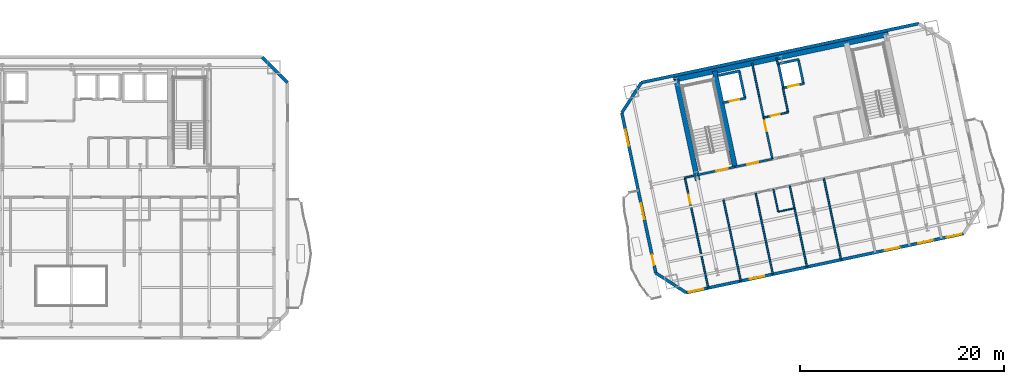
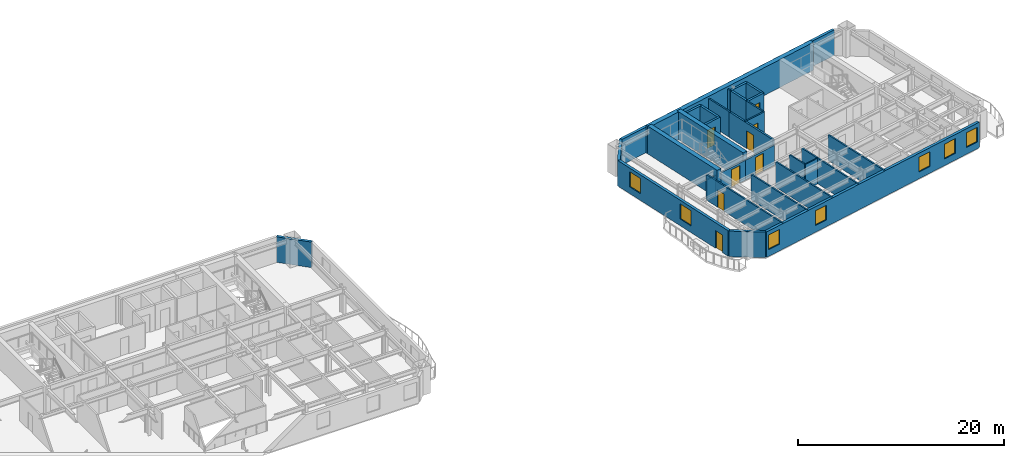
# One storey, part 7 of 13: 31 walls, 8 doors, 7 windows, 15 openings.
"""IFC4 building model written with IfcOpenShell, lengths in metres."""

from ifc_helpers import new_model, si_unit, direction, frame, frame_2d, origin, place, context, subcontext, project, spatial, rectangle, extrude, material, layer, layer_set, type_object, element, fill, save


model = new_model("IFC4")

# Units and contexts
model_context = context("Model", 3, precision=1e-05, world=origin(), true_north=direction((0.0, 1.0)))
body_context = subcontext(model_context, "Body", "Model", "MODEL_VIEW")
ifc_project = project(units=[si_unit("LENGTHUNIT", "METRE"), si_unit("AREAUNIT", "SQUARE_METRE"), si_unit("VOLUMEUNIT", "CUBIC_METRE"), si_unit("PLANEANGLEUNIT", "RADIAN"), si_unit("MASSUNIT", "GRAM", prefix="KILO")], contexts=[model_context])

# Site, building, storey
site_placement = place(None, origin())
site = spatial("IfcSite", under=ifc_project, at=site_placement, CompositionType="ELEMENT")
building_placement = place(site_placement, origin())
building = spatial("IfcBuilding", under=site, at=building_placement, Name="Haevon Station Towers", CompositionType="ELEMENT")
storey_placement = place(building_placement, frame((0.0, 0.0, 142.800048828125)))
storey = spatial("IfcBuildingStorey", under=building, at=storey_placement, Name="L38", CompositionType="ELEMENT", Elevation=142.800048828125)

# Wall, opening, door
ifc_material_1 = material(Name="Gypsum board on steel stud", Category="steel")
ifc_layer_1 = layer(ifc_material_1, 0.199951171875)
ifc_layer_set_1 = layer_set([ifc_layer_1], Name="Gypsum board on steel stud")
wall_type_1 = type_object("IfcWallType", Name="WL-COR200", PredefinedType="PARTITIONING", material=ifc_layer_set_1)
wall_1_placement = place(storey_placement, frame((98.75244140625, 37.4423828125, 0.0), z_axis=(0.0, 0.0, 1.0), x_axis=(0.978143537786, 0.207930804564, 0.0)))
wall_1 = element("IfcWall", 1, at=wall_1_placement, inside=storey, type_object=wall_type_1, Name="WL-ST-ST3-L38", PredefinedType="PARTITIONING", context=body_context, shape_type="SweptSolid", body=[
    extrude(rectangle(XDim=3.85009765625, YDim=0.199951171875, at=frame_2d((1.925048828125, 0.0))), origin(), (0.0, 0.0, 1.0), 2.3798828125),
])
opening_1_placement = place(wall_1_placement, frame((2.0, 0.0, 0.0)))
opening_1 = element("IfcOpeningElement", 2, at=opening_1_placement, cuts=wall_1, Name="Opening DR-ST-ST3-L38", PredefinedType="OPENING", context=body_context, shape_type="SweptSolid", body=[
    extrude(rectangle(XDim=1.1201171875, YDim=2.10009765625, at=frame_2d((0.56005859375, 1.050048828125))), frame((0.0, 0.10986328125, 0.0), z_axis=(0.0, -1.0, 0.0), x_axis=(1.0, 0.0, 0.0)), (0.0, 0.0, 1.0), 0.219970703125),
])
ifc_material_2 = material(Name="Engineered oak timber", Category="wood")
door_type_1 = type_object("IfcDoorType", Name="DR-ST-1120", OperationType="NOTDEFINED", PredefinedType="DOOR", material=ifc_material_2)
door_1_placement = place(opening_1_placement, origin())
door_1 = element("IfcDoor", 3, at=door_1_placement, inside=storey, type_object=door_type_1, Name="L38 Escape Stair ST3 Fire Door", OperationType="SINGLE_SWING_LEFT", OverallHeight=2.10009765625, OverallWidth=1.1201171875, PredefinedType="DOOR", context=body_context, shape_type="SweptSolid", body=[
    extrude(rectangle(XDim=1.1201171875, YDim=2.10009765625, at=frame_2d((0.56005859375, 1.050048828125))), frame((0.0, 0.02490234375, 0.0), z_axis=(0.0, -1.0, 0.0), x_axis=(1.0, 0.0, 0.0)), (0.0, 0.0, 1.0), 0.050048828125),
])
fill(opening_1, door_1)

wall_2_placement = place(storey_placement, frame((106.186279296875, 39.0224609375, 0.0), z_axis=(0.0, 0.0, 1.0), x_axis=(-0.207916691923, 0.978146537703, 0.0)))
wall_2 = element("IfcWall", 4, at=wall_2_placement, inside=storey, type_object=wall_type_1, Name="WL-T2FFL-L38-E", PredefinedType="PARTITIONING", context=body_context, shape_type="SweptSolid", body=[
    extrude(rectangle(XDim=6.35009765625, YDim=0.199951171875, at=frame_2d((3.175048828125, 0.0))), origin(), (0.0, 0.0, 1.0), 3.030029296875),
])
opening_2_placement = place(wall_2_placement, frame((2.800048828125, 0.0, 0.0)))
opening_2 = element("IfcOpeningElement", 5, at=opening_2_placement, cuts=wall_2, Name="Opening DR-T2FFL-L38-E", PredefinedType="OPENING", context=body_context, shape_type="SweptSolid", body=[
    extrude(rectangle(XDim=1.050048828125, YDim=2.10009765625, at=frame_2d((0.52490234375, 1.050048828125))), frame((0.0, 0.10986328125, 0.0), z_axis=(0.0, -1.0, 0.0), x_axis=(1.0, 0.0, 0.0)), (0.0, 0.0, 1.0), 0.219970703125),
])
door_type_2 = type_object("IfcDoorType", Name="DR-FD60-1050", OperationType="NOTDEFINED", PredefinedType="DOOR", material=ifc_material_2)
door_2_placement = place(opening_2_placement, origin())
door_2 = element("IfcDoor", 6, at=door_2_placement, inside=storey, type_object=door_type_2, Name="L38 Tower 2 Firefighting Lift Lobby Door E", OperationType="SINGLE_SWING_LEFT", OverallHeight=2.10009765625, OverallWidth=1.050048828125, PredefinedType="DOOR", context=body_context, shape_type="SweptSolid", body=[
    extrude(rectangle(XDim=1.050048828125, YDim=2.10009765625, at=frame_2d((0.52490234375, 1.050048828125))), frame((0.0, 0.02490234375, 0.0), z_axis=(0.0, -1.0, 0.0), x_axis=(1.0, 0.0, 0.0)), (0.0, 0.0, 1.0), 0.050048828125),
])
fill(opening_2, door_2)

wall_3_placement = place(storey_placement, frame((102.518310546875, 38.242919921875, 0.0), z_axis=(0.0, 0.0, 1.0), x_axis=(0.978153555683, 0.20788367301, 0.0)))
wall_3 = element("IfcWall", 7, at=wall_3_placement, inside=storey, type_object=wall_type_1, Name="WL-T2FFL-L38-S", PredefinedType="PARTITIONING", context=body_context, shape_type="SweptSolid", body=[
    extrude(rectangle(XDim=3.75, YDim=0.199951171875, at=frame_2d((1.875, 0.0))), origin(), (0.0, 0.0, 1.0), 2.3798828125),
])
opening_3_placement = place(wall_3_placement, frame((1.25, 0.0, 0.0)))
opening_3 = element("IfcOpeningElement", 8, at=opening_3_placement, cuts=wall_3, Name="Opening DR-T2FFL-L38-S", PredefinedType="OPENING", context=body_context, shape_type="SweptSolid", body=[
    extrude(rectangle(XDim=1.050048828125, YDim=2.10009765625, at=frame_2d((0.52490234375, 1.050048828125))), frame((0.0, 0.10986328125, 0.0), z_axis=(0.0, -1.0, 0.0), x_axis=(1.0, 0.0, 0.0)), (0.0, 0.0, 1.0), 0.219970703125),
])
door_3_placement = place(opening_3_placement, origin())
door_3 = element("IfcDoor", 9, at=door_3_placement, inside=storey, type_object=door_type_2, Name="L38 Tower 2 Firefighting Lift Lobby Door S", OperationType="SINGLE_SWING_RIGHT", OverallHeight=2.10009765625, OverallWidth=1.050048828125, PredefinedType="DOOR", context=body_context, shape_type="SweptSolid", body=[
    extrude(rectangle(XDim=1.050048828125, YDim=2.10009765625, at=frame_2d((0.52490234375, 1.050048828125))), frame((0.0, 0.02490234375, 0.0), z_axis=(0.0, -1.0, 0.0), x_axis=(1.0, 0.0, 0.0)), (0.0, 0.0, 1.0), 0.050048828125),
])
fill(opening_3, door_3)

# Walls
ifc_material_3 = material(Name="Concrete C60/75", Category="concrete")
ifc_layer_2 = layer(ifc_material_3, 0.5)
ifc_layer_set_2 = layer_set([ifc_layer_2], Name="Concrete C60/75")
wall_type_2 = type_object("IfcWallType", Name="WL-CR500", PredefinedType="SHEAR", material=ifc_layer_set_2)
wall_4_placement = place(storey_placement, frame((96.511962890625, 46.78076171875, 0.0), z_axis=(0.0, 0.0, 1.0), x_axis=(0.978148546782, 0.207907239961, 0.0)))
element("IfcWall", 10, at=wall_4_placement, inside=storey, type_object=wall_type_2, Name="WL-T2CR-L38-N", PredefinedType="SHEAR", context=body_context, shape_type="SweptSolid", body=[
    extrude(rectangle(XDim=21.499755859375, YDim=0.5, at=frame_2d((10.75, 0.0))), origin(), (0.0, 0.0, 1.0), 3.300048828125),
])
wall_5_placement = place(storey_placement, frame((98.8603515625, 36.933837890625, 0.0), z_axis=(0.0, 0.0, 1.0), x_axis=(-0.20790924889, 0.978148119778, 0.0)))
element("IfcWall", 11, at=wall_5_placement, inside=storey, type_object=wall_type_2, Name="WL-T2CR-L38-W", PredefinedType="SHEAR", context=body_context, shape_type="SweptSolid", body=[
    extrude(rectangle(XDim=10.119873046875, YDim=0.5, at=frame_2d((5.06005859375, 0.0))), origin(), (0.0, 0.0, 1.0), 3.300048828125),
])
wall_6_placement = place(storey_placement, frame((102.518310546875, 38.242919921875, 0.0), z_axis=(0.0, 0.0, 1.0), x_axis=(-0.207927495108, 0.978144241295, 0.0)))
element("IfcWall", 12, at=wall_6_placement, inside=storey, type_object=wall_type_2, Name="WL-T2CR-L38-M1", PredefinedType="SHEAR", context=body_context, shape_type="SweptSolid", body=[
    extrude(rectangle(XDim=9.599853515625, YDim=0.5, at=frame_2d((4.7998046875, 0.0))), origin(), (0.0, 0.0, 1.0), 3.300048828125),
])
ifc_material_4 = material(Name="Precast concrete C45/55", Category="concrete")
ifc_layer_3 = layer(ifc_material_4, 0.300048828125)
ifc_layer_set_3 = layer_set([ifc_layer_3], Name="Precast concrete C45/55")
wall_type_3 = type_object("IfcWallType", Name="WL-EXT-PIER300", PredefinedType="SOLIDWALL", material=ifc_layer_set_3)
wall_7_placement = place(storey_placement, frame((56.199951171875, 49.0, 0.0), z_axis=(0.0, 0.0, 1.0), x_axis=(0.707106781187, -0.707106781187, 0.0)))
element("IfcWall", 13, at=wall_7_placement, inside=storey, type_object=wall_type_3, Name="WL-T1-L38-NEC", PredefinedType="SOLIDWALL", context=body_context, shape_type="SweptSolid", body=[
    extrude(rectangle(XDim=3.53564453125, YDim=0.300048828125, at=frame_2d((1.767822265625, 0.0))), origin(), (0.0, 0.0, 1.0), 3.030029296875),
])

# Wall, openings, windows
wall_8_placement = place(storey_placement, frame((124.91650390625, 31.70703125, 0.0), z_axis=(0.0, 0.0, 1.0), x_axis=(-0.978146796741, -0.20791547327, 0.0)))
wall_8 = element("IfcWall", 14, at=wall_8_placement, inside=storey, type_object=wall_type_3, Name="WL-T2-L38-S", PredefinedType="SOLIDWALL", context=body_context, shape_type="SweptSolid", body=[
    extrude(rectangle(XDim=27.7998046875, YDim=0.300048828125, at=frame_2d((13.89990234375, 0.0))), origin(), (0.0, 0.0, 1.0), 3.030029296875),
])
opening_4_placement = place(wall_8_placement, frame((26.10009765625, 0.0, 0.800048828125)))
opening_4 = element("IfcOpeningElement", 15, at=opening_4_placement, cuts=wall_8, Name="Opening WN-P145", PredefinedType="OPENING", context=body_context, shape_type="SweptSolid", body=[
    extrude(rectangle(XDim=1.449951171875, YDim=1.75, at=frame_2d((0.72509765625, 0.875))), frame((0.0, 0.159912109375, 0.0), z_axis=(0.0, -1.0, 0.0), x_axis=(1.0, 0.0, 0.0)), (0.0, 0.0, 1.0), 0.320068359375),
])
opening_5_placement = place(wall_8_placement, frame((0.25, 0.0, 0.800048828125)))
opening_5 = element("IfcOpeningElement", 16, at=opening_5_placement, cuts=wall_8, Name="Opening WN-P145", PredefinedType="OPENING", context=body_context, shape_type="SweptSolid", body=[
    extrude(rectangle(XDim=1.449951171875, YDim=1.75, at=frame_2d((0.72509765625, 0.875))), frame((0.0, 0.159912109375, 0.0), z_axis=(0.0, -1.0, 0.0), x_axis=(1.0, 0.0, 0.0)), (0.0, 0.0, 1.0), 0.320068359375),
])
opening_6_placement = place(wall_8_placement, frame((19.9873046875, 0.0, 0.800048828125)))
opening_6 = element("IfcOpeningElement", 17, at=opening_6_placement, cuts=wall_8, Name="Opening WN-P145", PredefinedType="OPENING", context=body_context, shape_type="SweptSolid", body=[
    extrude(rectangle(XDim=1.449951171875, YDim=1.75, at=frame_2d((0.72509765625, 0.875))), frame((0.0, 0.159912109375, 0.0), z_axis=(0.0, -1.0, 0.0), x_axis=(1.0, 0.0, 0.0)), (0.0, 0.0, 1.0), 0.320068359375),
])
opening_7_placement = place(wall_8_placement, frame((6.42333984375, 0.0, 0.800048828125)))
opening_7 = element("IfcOpeningElement", 18, at=opening_7_placement, cuts=wall_8, Name="Opening WN-P145", PredefinedType="OPENING", context=body_context, shape_type="SweptSolid", body=[
    extrude(rectangle(XDim=1.449951171875, YDim=1.75, at=frame_2d((0.72509765625, 0.875))), frame((0.0, 0.159912109375, 0.0), z_axis=(0.0, -1.0, 0.0), x_axis=(1.0, 0.0, 0.0)), (0.0, 0.0, 1.0), 0.320068359375),
])
opening_8_placement = place(wall_8_placement, frame((3.107666015625, 0.0, 0.800048828125)))
opening_8 = element("IfcOpeningElement", 19, at=opening_8_placement, cuts=wall_8, Name="Opening WN-P145", PredefinedType="OPENING", context=body_context, shape_type="SweptSolid", body=[
    extrude(rectangle(XDim=1.449951171875, YDim=1.75, at=frame_2d((0.72509765625, 0.875))), frame((0.0, 0.159912109375, 0.0), z_axis=(0.0, -1.0, 0.0), x_axis=(1.0, 0.0, 0.0)), (0.0, 0.0, 1.0), 0.320068359375),
])
ifc_material_5 = material(Name="Low-E triple glazing in thermally broken aluminium", Category="aluminium")
window_type_1 = type_object("IfcWindowType", Name="WN-P145", PartitioningType="SINGLE_PANEL", PredefinedType="WINDOW", material=ifc_material_5)
window_1_placement = place(opening_4_placement, origin())
window_1 = element("IfcWindow", 20, at=window_1_placement, inside=storey, type_object=window_type_1, Name="WN-T2-L38-S01", OverallHeight=1.75, OverallWidth=1.449951171875, PartitioningType="SINGLE_PANEL", PredefinedType="WINDOW", context=body_context, shape_type="SweptSolid", body=[
    extrude(rectangle(XDim=1.449951171875, YDim=1.75, at=frame_2d((0.72509765625, 0.875))), frame((0.0, 0.030029296875, 0.0), z_axis=(0.0, -1.0, 0.0), x_axis=(1.0, 0.0, 0.0)), (0.0, 0.0, 1.0), 0.06005859375),
])
fill(opening_4, window_1)
window_2_placement = place(opening_5_placement, origin())
window_2 = element("IfcWindow", 21, at=window_2_placement, inside=storey, type_object=window_type_1, Name="WN-T2-L38-S02", OverallHeight=1.75, OverallWidth=1.449951171875, PartitioningType="SINGLE_PANEL", PredefinedType="WINDOW", context=body_context, shape_type="SweptSolid", body=[
    extrude(rectangle(XDim=1.449951171875, YDim=1.75, at=frame_2d((0.72509765625, 0.875))), frame((0.0, 0.030029296875, 0.0), z_axis=(0.0, -1.0, 0.0), x_axis=(1.0, 0.0, 0.0)), (0.0, 0.0, 1.0), 0.06005859375),
])
fill(opening_5, window_2)
window_3_placement = place(opening_6_placement, origin())
window_3 = element("IfcWindow", 22, at=window_3_placement, inside=storey, type_object=window_type_1, Name="WN-T2-L38-S03", OverallHeight=1.75, OverallWidth=1.449951171875, PartitioningType="SINGLE_PANEL", PredefinedType="WINDOW", context=body_context, shape_type="SweptSolid", body=[
    extrude(rectangle(XDim=1.449951171875, YDim=1.75, at=frame_2d((0.72509765625, 0.875))), frame((0.0, 0.030029296875, 0.0), z_axis=(0.0, -1.0, 0.0), x_axis=(1.0, 0.0, 0.0)), (0.0, 0.0, 1.0), 0.06005859375),
])
fill(opening_6, window_3)
window_4_placement = place(opening_7_placement, origin())
window_4 = element("IfcWindow", 23, at=window_4_placement, inside=storey, type_object=window_type_1, Name="WN-T2-L38-S04", OverallHeight=1.75, OverallWidth=1.449951171875, PartitioningType="SINGLE_PANEL", PredefinedType="WINDOW", context=body_context, shape_type="SweptSolid", body=[
    extrude(rectangle(XDim=1.449951171875, YDim=1.75, at=frame_2d((0.72509765625, 0.875))), frame((0.0, 0.030029296875, 0.0), z_axis=(0.0, -1.0, 0.0), x_axis=(1.0, 0.0, 0.0)), (0.0, 0.0, 1.0), 0.06005859375),
])
fill(opening_7, window_4)
window_5_placement = place(opening_8_placement, origin())
window_5 = element("IfcWindow", 24, at=window_5_placement, inside=storey, type_object=window_type_1, Name="WN-T2-L38-S05", OverallHeight=1.75, OverallWidth=1.449951171875, PartitioningType="SINGLE_PANEL", PredefinedType="WINDOW", context=body_context, shape_type="SweptSolid", body=[
    extrude(rectangle(XDim=1.449951171875, YDim=1.75, at=frame_2d((0.72509765625, 0.875))), frame((0.0, 0.030029296875, 0.0), z_axis=(0.0, -1.0, 0.0), x_axis=(1.0, 0.0, 0.0)), (0.0, 0.0, 1.0), 0.06005859375),
])
fill(opening_8, window_5)

# Wall
wall_9_placement = place(storey_placement, frame((97.72412109375, 25.927001953125, 0.0), z_axis=(0.0, 0.0, 1.0), x_axis=(-0.838672309694, 0.544636352948, 0.0)))
element("IfcWall", 25, at=wall_9_placement, inside=storey, type_object=wall_type_3, Name="WL-T2-L38-SWC", PredefinedType="SOLIDWALL", context=body_context, shape_type="SweptSolid", body=[
    extrude(rectangle(XDim=3.535400390625, YDim=0.300048828125, at=frame_2d((1.767578125, 0.0))), origin(), (0.0, 0.0, 1.0), 3.030029296875),
])

# Wall, openings, door, windows
wall_10_placement = place(storey_placement, frame((94.759033203125, 27.8525390625, 0.0), z_axis=(0.0, 0.0, 1.0), x_axis=(-0.207922793235, 0.978145240776, 0.0)))
wall_10 = element("IfcWall", 26, at=wall_10_placement, inside=storey, type_object=wall_type_3, Name="WL-T2-L38-W", PredefinedType="SOLIDWALL", context=body_context, shape_type="SweptSolid", body=[
    extrude(rectangle(XDim=16.050048828125, YDim=0.300048828125, at=frame_2d((8.02490234375, 0.0))), origin(), (0.0, 0.0, 1.0), 3.030029296875),
])
opening_9_placement = place(wall_10_placement, frame((0.800048828125, 0.0, 0.0)))
opening_9 = element("IfcOpeningElement", 27, at=opening_9_placement, cuts=wall_10, Name="Opening DR-T2-SCAL-L38-W", PredefinedType="OPENING", context=body_context, shape_type="SweptSolid", body=[
    extrude(rectangle(XDim=1.050048828125, YDim=2.10009765625, at=frame_2d((0.52490234375, 1.050048828125))), frame((0.0, 0.159912109375, 0.0), z_axis=(0.0, -1.0, 0.0), x_axis=(1.0, 0.0, 0.0)), (0.0, 0.0, 1.0), 0.320068359375),
])
opening_10_placement = place(wall_10_placement, frame((5.389404296875, 0.0, 0.800048828125)))
opening_10 = element("IfcOpeningElement", 28, at=opening_10_placement, cuts=wall_10, Name="Opening WN-END160", PredefinedType="OPENING", context=body_context, shape_type="SweptSolid", body=[
    extrude(rectangle(XDim=1.60009765625, YDim=1.800048828125, at=frame_2d((0.800048828125, 0.89990234375))), frame((0.0, 0.159912109375, 0.0), z_axis=(0.0, -1.0, 0.0), x_axis=(1.0, 0.0, 0.0)), (0.0, 0.0, 1.0), 0.320068359375),
])
opening_11_placement = place(wall_10_placement, frame((12.732177734375, 0.0, 0.800048828125)))
opening_11 = element("IfcOpeningElement", 29, at=opening_11_placement, cuts=wall_10, Name="Opening WN-END160", PredefinedType="OPENING", context=body_context, shape_type="SweptSolid", body=[
    extrude(rectangle(XDim=1.60009765625, YDim=1.800048828125, at=frame_2d((0.800048828125, 0.89990234375))), frame((0.0, 0.159912109375, 0.0), z_axis=(0.0, -1.0, 0.0), x_axis=(1.0, 0.0, 0.0)), (0.0, 0.0, 1.0), 0.320068359375),
])
ifc_material_6 = material(Name="Thermally broken anodised aluminium and laminated safety glass", Category="aluminium")
door_type_3 = type_object("IfcDoorType", Name="DR-BALC-1050", OperationType="NOTDEFINED", PredefinedType="DOOR", material=ifc_material_6)
door_4_placement = place(opening_9_placement, origin())
door_4 = element("IfcDoor", 30, at=door_4_placement, inside=storey, type_object=door_type_3, Name="Tower 2 L38 West Scalloped Balcony Door", OperationType="SINGLE_SWING_RIGHT", OverallHeight=2.10009765625, OverallWidth=1.050048828125, PredefinedType="DOOR", context=body_context, shape_type="SweptSolid", body=[
    extrude(rectangle(XDim=1.050048828125, YDim=2.10009765625, at=frame_2d((0.52490234375, 1.050048828125))), frame((0.0, 0.02490234375, 0.0), z_axis=(0.0, -1.0, 0.0), x_axis=(1.0, 0.0, 0.0)), (0.0, 0.0, 1.0), 0.050048828125),
])
fill(opening_9, door_4)
window_type_2 = type_object("IfcWindowType", Name="WN-END160", PartitioningType="SINGLE_PANEL", PredefinedType="WINDOW", material=ifc_material_5)
window_6_placement = place(opening_10_placement, origin())
window_6 = element("IfcWindow", 31, at=window_6_placement, inside=storey, type_object=window_type_2, Name="WN-T2-L38-W01", OverallHeight=1.800048828125, OverallWidth=1.60009765625, PartitioningType="SINGLE_PANEL", PredefinedType="WINDOW", context=body_context, shape_type="SweptSolid", body=[
    extrude(rectangle(XDim=1.60009765625, YDim=1.800048828125, at=frame_2d((0.800048828125, 0.89990234375))), frame((0.0, 0.030029296875, 0.0), z_axis=(0.0, -1.0, 0.0), x_axis=(1.0, 0.0, 0.0)), (0.0, 0.0, 1.0), 0.06005859375),
])
fill(opening_10, window_6)
window_7_placement = place(opening_11_placement, origin())
window_7 = element("IfcWindow", 32, at=window_7_placement, inside=storey, type_object=window_type_2, Name="WN-T2-L38-W02", OverallHeight=1.800048828125, OverallWidth=1.60009765625, PartitioningType="SINGLE_PANEL", PredefinedType="WINDOW", context=body_context, shape_type="SweptSolid", body=[
    extrude(rectangle(XDim=1.60009765625, YDim=1.800048828125, at=frame_2d((0.800048828125, 0.89990234375))), frame((0.0, 0.030029296875, 0.0), z_axis=(0.0, -1.0, 0.0), x_axis=(1.0, 0.0, 0.0)), (0.0, 0.0, 1.0), 0.06005859375),
])
fill(opening_11, window_7)

# Walls
wall_11_placement = place(storey_placement, frame((91.421875, 43.5517578125, 0.0), z_axis=(0.0, 0.0, 1.0), x_axis=(0.544604812064, 0.838692791597, 0.0)))
element("IfcWall", 33, at=wall_11_placement, inside=storey, type_object=wall_type_3, Name="WL-T2-L38-NWC", PredefinedType="SOLIDWALL", context=body_context, shape_type="SweptSolid", body=[
    extrude(rectangle(XDim=3.53564453125, YDim=0.300048828125, at=frame_2d((1.767822265625, 0.0))), origin(), (0.0, 0.0, 1.0), 3.030029296875),
])
wall_12_placement = place(storey_placement, frame((93.347412109375, 46.51708984375, 0.0), z_axis=(0.0, 0.0, 1.0), x_axis=(0.978148962338, 0.207905284872, 0.0)))
element("IfcWall", 34, at=wall_12_placement, inside=storey, type_object=wall_type_3, Name="WL-T2-L38-N", PredefinedType="SOLIDWALL", context=body_context, shape_type="SweptSolid", body=[
    extrude(rectangle(XDim=27.800048828125, YDim=0.300048828125, at=frame_2d((13.89990234375, 0.0))), origin(), (0.0, 0.0, 1.0), 3.030029296875),
])
ifc_layer_4 = layer(ifc_material_1, 0.125)
ifc_layer_set_4 = layer_set([ifc_layer_4], Name="Gypsum board on steel stud")
wall_type_4 = type_object("IfcWallType", Name="WL-PRT125", PredefinedType="PARTITIONING", material=ifc_layer_set_4)
wall_13_placement = place(storey_placement, frame((106.747802734375, 33.8564453125, 0.0), z_axis=(0.0, 0.0, 1.0), x_axis=(0.978156954636, 0.207867679299, 0.0)))
element("IfcWall", 35, at=wall_13_placement, inside=storey, type_object=wall_type_4, Name="WL-T2PT-L38-07", PredefinedType="PARTITIONING", context=body_context, shape_type="SweptSolid", body=[
    extrude(rectangle(XDim=1.635986328125, YDim=0.125, at=frame_2d((0.81787109375, 0.0))), origin(), (0.0, 0.0, 1.0), 3.030029296875),
])
ifc_layer_5 = layer(ifc_material_1, 0.139892578125)
ifc_layer_set_5 = layer_set([ifc_layer_5], Name="Gypsum board on steel stud")
wall_type_5 = type_object("IfcWallType", Name="WL-PRT140", PredefinedType="PARTITIONING", material=ifc_layer_set_5)
wall_14_placement = place(storey_placement, frame((106.747802734375, 33.8564453125, 0.0), z_axis=(0.0, 0.0, 1.0), x_axis=(-0.207913264065, 0.978147266328, 0.0)))
element("IfcWall", 36, at=wall_14_placement, inside=storey, type_object=wall_type_5, Name="WL-T2PT-L38-08", PredefinedType="PARTITIONING", context=body_context, shape_type="SweptSolid", body=[
    extrude(rectangle(XDim=2.249755859375, YDim=0.139892578125, at=frame_2d((1.125, 0.0))), origin(), (0.0, 0.0, 1.0), 3.030029296875),
])
ifc_layer_6 = layer(ifc_material_1, 0.159912109375)
ifc_layer_set_6 = layer_set([ifc_layer_6], Name="Gypsum board on steel stud")
wall_type_6 = type_object("IfcWallType", Name="WL-PRT160", PredefinedType="PARTITIONING", material=ifc_layer_set_6)
wall_15_placement = place(storey_placement, frame((104.88671875, 45.135986328125, 0.0), z_axis=(0.0, 0.0, 1.0), x_axis=(-0.207846553267, 0.978161443881, 0.0)))
element("IfcWall", 37, at=wall_15_placement, inside=storey, type_object=wall_type_6, Name="WL-T2CW-L38-01", PredefinedType="PARTITIONING", context=body_context, shape_type="SweptSolid", body=[
    extrude(rectangle(XDim=3.35009765625, YDim=0.159912109375, at=frame_2d((1.675048828125, 0.0))), origin(), (0.0, 0.0, 1.0), 3.030029296875),
])

# Wall, opening, door
wall_16_placement = place(storey_placement, frame((105.323486328125, 43.081787109375, 0.0), z_axis=(0.0, 0.0, 1.0), x_axis=(0.978136559131, 0.207963630695, 0.0)))
wall_16 = element("IfcWall", 38, at=wall_16_placement, inside=storey, type_object=wall_type_6, Name="WL-T2CW-L38-02", PredefinedType="PARTITIONING", context=body_context, shape_type="SweptSolid", body=[
    extrude(rectangle(XDim=2.449951171875, YDim=0.159912109375, at=frame_2d((1.22509765625, 0.0))), origin(), (0.0, 0.0, 1.0), 3.030029296875),
])
opening_12_placement = place(wall_16_placement, frame((0.719970703125, 0.0, 0.0)))
opening_12 = element("IfcOpeningElement", 39, at=opening_12_placement, cuts=wall_16, Name="Opening DR-WL-T2CW-L38-02-1", PredefinedType="OPENING", context=body_context, shape_type="SweptSolid", body=[
    extrude(rectangle(XDim=0.89990234375, YDim=2.10009765625, at=frame_2d((0.449951171875, 1.050048828125))), frame((0.0, 0.08984375, 0.0), z_axis=(0.0, -1.0, 0.0), x_axis=(1.0, 0.0, 0.0)), (0.0, 0.0, 1.0), 0.179931640625),
])
door_type_4 = type_object("IfcDoorType", Name="DR-FD60-900", OperationType="NOTDEFINED", PredefinedType="DOOR", material=ifc_material_2)
door_5_placement = place(opening_12_placement, origin())
door_5 = element("IfcDoor", 40, at=door_5_placement, inside=storey, type_object=door_type_4, Name="L38 Tower 2 Core Room Door 2-1", OperationType="SINGLE_SWING_LEFT", OverallHeight=2.10009765625, OverallWidth=0.89990234375, PredefinedType="DOOR", context=body_context, shape_type="SweptSolid", body=[
    extrude(rectangle(XDim=0.89990234375, YDim=2.10009765625, at=frame_2d((0.449951171875, 1.050048828125))), frame((0.0, 0.02490234375, 0.0), z_axis=(0.0, -1.0, 0.0), x_axis=(1.0, 0.0, 0.0)), (0.0, 0.0, 1.0), 0.050048828125),
])
fill(opening_12, door_5)

# Walls
wall_17_placement = place(storey_placement, frame((107.719970703125, 43.59130859375, 0.0), z_axis=(0.0, 0.0, 1.0), x_axis=(-0.207914818928, 0.978146935828, 0.0)))
element("IfcWall", 41, at=wall_17_placement, inside=storey, type_object=wall_type_6, Name="WL-T2CW-L38-03", PredefinedType="PARTITIONING", context=body_context, shape_type="SweptSolid", body=[
    extrude(rectangle(XDim=2.5, YDim=0.159912109375, at=frame_2d((1.25, 0.0))), origin(), (0.0, 0.0, 1.0), 3.030029296875),
])
wall_18_placement = place(storey_placement, frame((106.721923828125, 48.286376953125, 0.0), z_axis=(0.0, 0.0, 1.0), x_axis=(-0.208092352933, 0.978109182377, 0.0)))
element("IfcWall", 42, at=wall_18_placement, inside=storey, type_object=wall_type_6, Name="WL-T2CW-L38-04", PredefinedType="PARTITIONING", context=body_context, shape_type="SweptSolid", body=[
    extrude(rectangle(XDim=0.64990234375, YDim=0.159912109375, at=frame_2d((0.324951171875, 0.0))), origin(), (0.0, 0.0, 1.0), 3.030029296875),
])
wall_19_placement = place(storey_placement, frame((103.084228515625, 27.06640625, 0.0), z_axis=(0.0, 0.0, 1.0), x_axis=(-0.20790041837, 0.978149996699, 0.0)))
element("IfcWall", 43, at=wall_19_placement, inside=storey, type_object=wall_type_6, Name="WL-T2PT-L38-01", PredefinedType="PARTITIONING", context=body_context, shape_type="SweptSolid", body=[
    extrude(rectangle(XDim=8.1298828125, YDim=0.159912109375, at=frame_2d((4.06494140625, 0.0))), origin(), (0.0, 0.0, 1.0), 3.030029296875),
])
wall_20_placement = place(storey_placement, frame((97.60302734375, 37.197998046875, 0.0), z_axis=(0.0, 0.0, 1.0), x_axis=(0.978135611929, 0.207968085714, 0.0)))
element("IfcWall", 44, at=wall_20_placement, inside=storey, type_object=wall_type_6, Name="WL-T2PT-L38-02", PredefinedType="PARTITIONING", context=body_context, shape_type="SweptSolid", body=[
    extrude(rectangle(XDim=1.175048828125, YDim=0.159912109375, at=frame_2d((0.58740234375, 0.0))), origin(), (0.0, 0.0, 1.0), 2.3798828125),
])

# Wall, opening, door
wall_21_placement = place(storey_placement, frame((99.900390625, 26.3896484375, 0.0), z_axis=(0.0, 0.0, 1.0), x_axis=(-0.207909755675, 0.978148012059, 0.0)))
wall_21 = element("IfcWall", 45, at=wall_21_placement, inside=storey, type_object=wall_type_6, Name="WL-T2PT-L38-04", PredefinedType="PARTITIONING", context=body_context, shape_type="SweptSolid", body=[
    extrude(rectangle(XDim=11.0498046875, YDim=0.159912109375, at=frame_2d((5.52490234375, 0.0))), origin(), (0.0, 0.0, 1.0), 3.030029296875),
])
opening_13_placement = place(wall_21_placement, frame((8.449951171875, 0.0, 0.0)))
opening_13 = element("IfcOpeningElement", 46, at=opening_13_placement, cuts=wall_21, Name="Opening DR-WL-T2PT-L38-04-01", PredefinedType="OPENING", context=body_context, shape_type="SweptSolid", body=[
    extrude(rectangle(XDim=0.89990234375, YDim=2.050048828125, at=frame_2d((0.449951171875, 1.02490234375))), frame((0.0, 0.08984375, 0.0), z_axis=(0.0, -1.0, 0.0), x_axis=(1.0, 0.0, 0.0)), (0.0, 0.0, 1.0), 0.179931640625),
])
door_type_5 = type_object("IfcDoorType", Name="DR-INT-900", OperationType="NOTDEFINED", PredefinedType="DOOR", material=ifc_material_2)
door_6_placement = place(opening_13_placement, origin())
door_6 = element("IfcDoor", 47, at=door_6_placement, inside=storey, type_object=door_type_5, Name="L38 Tower 2 Room Door 4-1", OperationType="SINGLE_SWING_RIGHT", OverallHeight=2.050048828125, OverallWidth=0.89990234375, PredefinedType="DOOR", context=body_context, shape_type="SweptSolid", body=[
    extrude(rectangle(XDim=0.89990234375, YDim=2.050048828125, at=frame_2d((0.449951171875, 1.02490234375))), frame((0.0, 0.02490234375, 0.0), z_axis=(0.0, -1.0, 0.0), x_axis=(1.0, 0.0, 0.0)), (0.0, 0.0, 1.0), 0.050048828125),
])
fill(opening_13, door_6)

# Walls
for number, where, z_axis, x_axis, name in (
    (48, (106.229248046875, 27.73486328125, 0.0), (0.0, 0.0, 1.0), (-0.207923042997, 0.978145187685, 0.0), "WL-T2PT-L38-06"),
    (49, (109.57080078125, 28.445068359375, 0.0), (0.0, 0.0, 1.0), (-0.207923042997, 0.978145187685, 0.0), "WL-T2PT-L38-09"),
    (50, (112.912353515625, 29.1552734375, 0.0), (0.0, 0.0, 1.0), (-0.207923042997, 0.978145187685, 0.0), "WL-T2PT-L38-10"),
):
    element("IfcWall", number, at=place(storey_placement, frame(where, z_axis=z_axis, x_axis=x_axis)), inside=storey, type_object=wall_type_6, Name=name, PredefinedType="PARTITIONING", context=body_context, shape_type="SweptSolid", body=[
        extrude(rectangle(XDim=8.130126953125, YDim=0.159912109375, at=frame_2d((4.06494140625, 0.0))), origin(), (0.0, 0.0, 1.0), 3.030029296875),
    ])

# Wall, opening, door
ifc_material_7 = material(Name="Concrete C40/50", Category="concrete")
ifc_layer_7 = layer(ifc_material_7, 0.239990234375)
ifc_layer_set_7 = layer_set([ifc_layer_7], Name="Concrete C40/50")
wall_type_7 = type_object("IfcWallType", Name="WL-SHF240", PredefinedType="PARTITIONING", material=ifc_layer_set_7)
wall_22_placement = place(storey_placement, frame((101.353759765625, 44.538330078125, 0.0), z_axis=(0.0, 0.0, 1.0), x_axis=(0.978141002414, 0.207942731049, 0.0)))
wall_22 = element("IfcWall", 51, at=wall_22_placement, inside=storey, type_object=wall_type_7, Name="WL-SHF-FL2-L38", PredefinedType="PARTITIONING", context=body_context, shape_type="SweptSolid", body=[
    extrude(rectangle(XDim=2.260009765625, YDim=0.239990234375, at=frame_2d((1.1298828125, 0.0))), origin(), (0.0, 0.0, 1.0), 3.030029296875),
])
opening_14_placement = place(wall_22_placement, frame((0.655029296875, 0.0, 0.0)))
opening_14 = element("IfcOpeningElement", 52, at=opening_14_placement, cuts=wall_22, Name="Opening LD-FL2-L38", PredefinedType="OPENING", context=body_context, shape_type="SweptSolid", body=[
    extrude(rectangle(XDim=0.949951171875, YDim=2.14990234375, at=frame_2d((0.47509765625, 1.074951171875))), frame((0.0, 0.1298828125, 0.0), z_axis=(0.0, -1.0, 0.0), x_axis=(1.0, 0.0, 0.0)), (0.0, 0.0, 1.0), 0.260009765625),
])
ifc_material_8 = material(Name="Stainless steel and rated core", Category="steel")
door_type_6 = type_object("IfcDoorType", Name="LD-FL950", OperationType="SLIDING_TO_LEFT", PredefinedType="DOOR", material=ifc_material_8)
door_7_placement = place(opening_14_placement, origin())
door_7 = element("IfcDoor", 53, at=door_7_placement, inside=storey, type_object=door_type_6, Name="L38 Lift FL2 Sliding Landing Door", OperationType="SLIDING_TO_LEFT", OverallHeight=2.14990234375, OverallWidth=0.949951171875, PredefinedType="DOOR", context=body_context, shape_type="SweptSolid", body=[
    extrude(rectangle(XDim=0.949951171875, YDim=2.14990234375, at=frame_2d((0.47509765625, 1.074951171875))), frame((0.0, 0.02490234375, 0.0), z_axis=(0.0, -1.0, 0.0), x_axis=(1.0, 0.0, 0.0)), (0.0, 0.0, 1.0), 0.050048828125),
])
fill(opening_14, door_7)

# Walls
wall_23_placement = place(storey_placement, frame((100.79248046875, 47.179443359375, 0.0), z_axis=(0.0, 0.0, 1.0), x_axis=(0.978162968872, 0.207839376268, 0.0)))
element("IfcWall", 54, at=wall_23_placement, inside=storey, type_object=wall_type_7, Name="WL-SHF-FL2-L38-N", PredefinedType="PARTITIONING", context=body_context, shape_type="SweptSolid", body=[
    extrude(rectangle(XDim=2.260009765625, YDim=0.239990234375, at=frame_2d((1.1298828125, 0.0))), origin(), (0.0, 0.0, 1.0), 3.030029296875),
])
wall_24_placement = place(storey_placement, frame((103.486328125, 44.99169921875, 0.0), z_axis=(0.0, 0.0, 1.0), x_axis=(-0.207978798957, 0.978133334052, 0.0)))
element("IfcWall", 55, at=wall_24_placement, inside=storey, type_object=wall_type_7, Name="WL-SHF-FL2-L38-E", PredefinedType="PARTITIONING", context=body_context, shape_type="SweptSolid", body=[
    extrude(rectangle(XDim=2.699951171875, YDim=0.239990234375, at=frame_2d((1.35009765625, 0.0))), origin(), (0.0, 0.0, 1.0), 3.030029296875),
])

# Wall, opening, door
wall_25_placement = place(storey_placement, frame((107.18115234375, 45.9814453125, 0.0), z_axis=(0.0, 0.0, 1.0), x_axis=(0.97813528961, 0.207969601673, 0.0)))
wall_25 = element("IfcWall", 56, at=wall_25_placement, inside=storey, type_object=wall_type_7, Name="WL-SHF-PL8-L38", PredefinedType="PARTITIONING", context=body_context, shape_type="SweptSolid", body=[
    extrude(rectangle(XDim=2.159912109375, YDim=0.239990234375, at=frame_2d((1.080078125, 0.0))), origin(), (0.0, 0.0, 1.0), 3.030029296875),
])
opening_15_placement = place(wall_25_placement, frame((0.554931640625, 0.0, 0.0)))
opening_15 = element("IfcOpeningElement", 57, at=opening_15_placement, cuts=wall_25, Name="Opening LD-PL8-L38", PredefinedType="OPENING", context=body_context, shape_type="SweptSolid", body=[
    extrude(rectangle(XDim=1.050048828125, YDim=2.14990234375, at=frame_2d((0.52490234375, 1.074951171875))), frame((0.0, 0.1298828125, 0.0), z_axis=(0.0, -1.0, 0.0), x_axis=(1.0, 0.0, 0.0)), (0.0, 0.0, 1.0), 0.260009765625),
])
door_type_7 = type_object("IfcDoorType", Name="LD-PL1050", OperationType="SLIDING_TO_LEFT", PredefinedType="DOOR", material=ifc_material_8)
door_8_placement = place(opening_15_placement, origin())
door_8 = element("IfcDoor", 58, at=door_8_placement, inside=storey, type_object=door_type_7, Name="L38 Lift PL8 Sliding Landing Door", OperationType="SLIDING_TO_LEFT", OverallHeight=2.14990234375, OverallWidth=1.050048828125, PredefinedType="DOOR", context=body_context, shape_type="SweptSolid", body=[
    extrude(rectangle(XDim=1.050048828125, YDim=2.14990234375, at=frame_2d((0.52490234375, 1.074951171875))), frame((0.0, 0.02490234375, 0.0), z_axis=(0.0, -1.0, 0.0), x_axis=(1.0, 0.0, 0.0)), (0.0, 0.0, 1.0), 0.050048828125),
])
fill(opening_15, door_8)

# Walls
wall_26_placement = place(storey_placement, frame((106.68212890625, 48.3291015625, 0.0), z_axis=(0.0, 0.0, 1.0), x_axis=(0.978158276388, 0.207861459473, 0.0)))
element("IfcWall", 59, at=wall_26_placement, inside=storey, type_object=wall_type_7, Name="WL-SHF-PL8-L38-N", PredefinedType="PARTITIONING", context=body_context, shape_type="SweptSolid", body=[
    extrude(rectangle(XDim=2.159912109375, YDim=0.239990234375, at=frame_2d((1.080078125, 0.0))), origin(), (0.0, 0.0, 1.0), 3.030029296875),
])
for number, where, z_axis, x_axis, name in (
    (60, (107.259521484375, 45.998046875, 0.0), (0.0, 0.0, 1.0), (-0.207917150959, 0.978146440129, 0.0), "WL-SHF-PL8-L38-W"),
    (61, (109.2158203125, 46.413818359375, 0.0), (0.0, 0.0, 1.0), (-0.207917150959, 0.978146440129, 0.0), "WL-SHF-PL8-L38-E"),
):
    element("IfcWall", number, at=place(storey_placement, frame(where, z_axis=z_axis, x_axis=x_axis)), inside=storey, type_object=wall_type_7, Name=name, PredefinedType="PARTITIONING", context=body_context, shape_type="SweptSolid", body=[
        extrude(rectangle(XDim=2.400146484375, YDim=0.239990234375, at=frame_2d((1.2001953125, 0.0))), origin(), (0.0, 0.0, 1.0), 3.030029296875),
    ])

save(model, "model.ifc")
